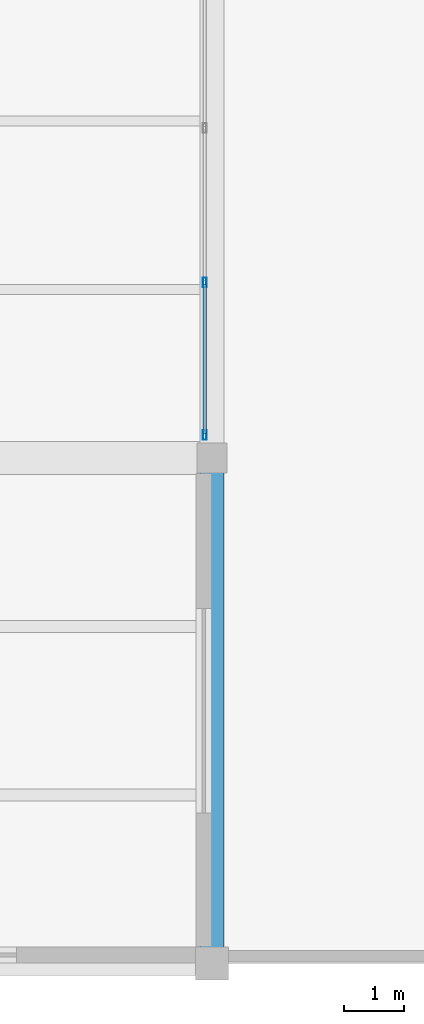
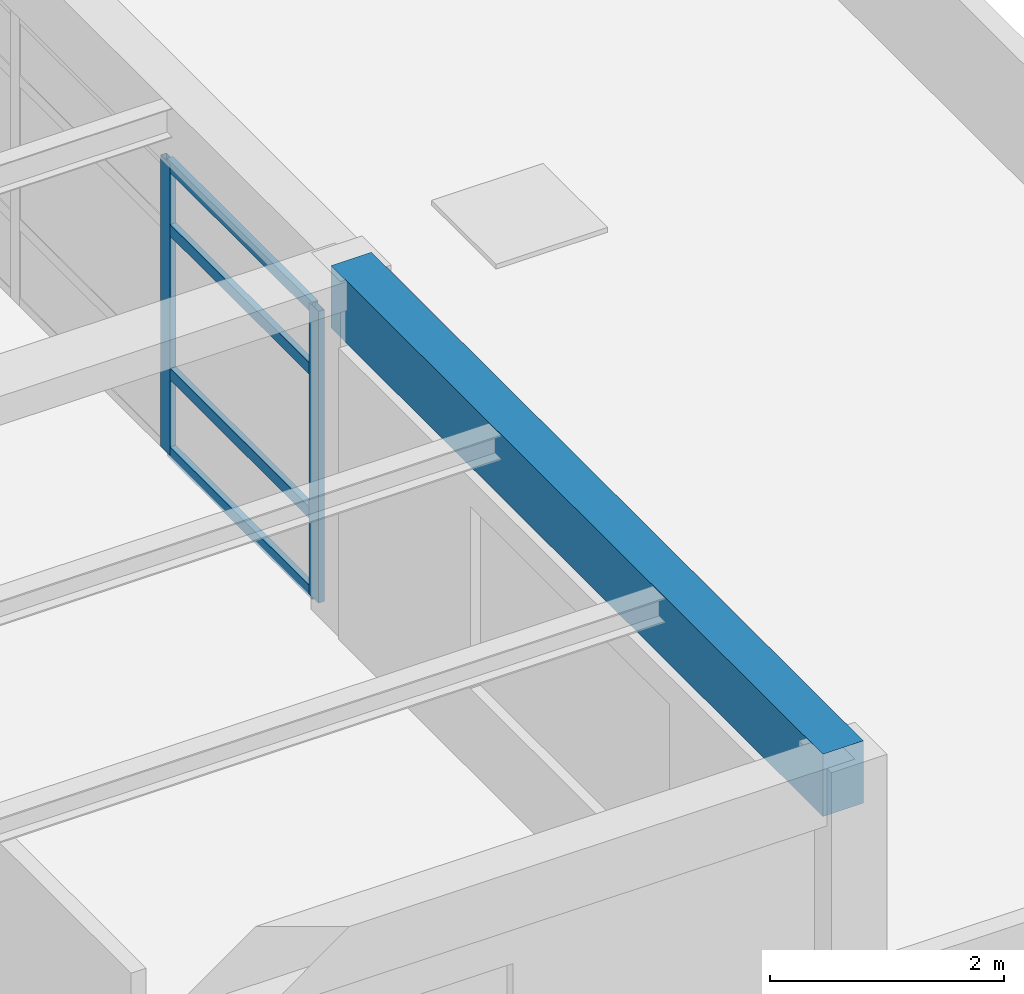
# One storey, part 15 of 22: 6 members, 1 beam, 1 element without a shape of its own.
"""IFC4 building model written with IfcOpenShell, lengths in metres."""

from ifc_helpers import new_model, si_unit, direction, frame, origin, origin_2d, place, context, subcontext, project, spatial, rectangle, hollow_rectangle, extrude, material, material_profile, profile_set, type_object, element, aggregate, save


model = new_model("IFC4")

# Units and contexts
model_context = context("Model", 3, precision=1e-05, world=origin(), true_north=direction((0.0, 1.0)))
body_context = subcontext(model_context, "Body", "Model", "MODEL_VIEW")
ifc_project = project(units=[si_unit("LENGTHUNIT", "METRE"), si_unit("AREAUNIT", "SQUARE_METRE"), si_unit("VOLUMEUNIT", "CUBIC_METRE"), si_unit("PLANEANGLEUNIT", "RADIAN"), si_unit("MASSUNIT", "GRAM", prefix="KILO")], contexts=[model_context])

# Site, building, storey
site_placement = place(None, origin())
site = spatial("IfcSite", under=ifc_project, at=site_placement, CompositionType="ELEMENT")
building_placement = place(site_placement, origin())
building = spatial("IfcBuilding", under=site, at=building_placement, Name="Almacenes y Pasaje Nevantli", CompositionType="ELEMENT")
storey_placement = place(building_placement, frame((0.0, 0.0, 58.699951171875)))
storey = spatial("IfcBuildingStorey", under=building, at=storey_placement, Name="L14", CompositionType="ELEMENT", Elevation=58.699951171875)

# Beam
ifc_material_1 = material(Name="Concrete C35/45", Category="concrete")
ifc_material_profile_1 = material_profile(ifc_material_1, rectangle(XDim=0.39990234375, YDim=0.64990234375, at=origin_2d()), Name="RC-BM-400x650")
ifc_profile_set_1 = profile_set([ifc_material_profile_1], Name="Concrete C35/45")
beam_type = type_object("IfcBeamType", Name="BM-RC-400x650", PredefinedType="SPANDREL", material=ifc_profile_set_1)
beam_placement = place(storey_placement, frame((151.199951171875, 67.199951171875, 3.39501953125), z_axis=(0.0, 1.0, 0.0), x_axis=(-1.0, 0.0, 0.0)))
element("IfcBeam", 1, at=beam_placement, inside=storey, type_object=beam_type, Name="L14 North-South Reinforced Concrete Beam #4011", PredefinedType="SPANDREL", context=body_context, shape_type="SweptSolid", body=[
    extrude(rectangle(XDim=0.39990234375, YDim=0.64990234375, at=origin_2d()), origin(), (0.0, 0.0, 1.0), 8.400146484375),
])

# Curtain wall, members
ifc_material_2 = material(Name="Thermally Broken Aluminium and Low-E Glass", Category="aluminium")
curtain_wall_type = type_object("IfcCurtainWallType", Name="CW-UNIT-TOWER", PredefinedType="USERDEFINED", material=ifc_material_2)
curtain_wall_placement = place(storey_placement, origin())
curtain_wall = element("IfcCurtainWall", 2, at=curtain_wall_placement, inside=storey, type_object=curtain_wall_type, Name="L14 Tower East Curtain Wall Bay 10", ObjectType="UNITIZED CURTAIN WALL", PredefinedType="USERDEFINED")
ifc_material_3 = material(Name="Thermally Broken Anodized Aluminium", Category="aluminium")
ifc_material_profile_2 = material_profile(ifc_material_3, hollow_rectangle(XDim=0.06005859375, YDim=0.159912109375, WallThickness=0.00390625, at=origin_2d()), Name="ALU-MUL-60x160")
ifc_profile_set_2 = profile_set([ifc_material_profile_2], Name="Thermally Broken Anodized Aluminium")
member_type_1 = type_object("IfcMemberType", Name="CW-MUL-180", PredefinedType="MULLION", material=ifc_profile_set_2)
member_1_placement = place(storey_placement, frame((151.080078125, 75.97998046875, 0.0), z_axis=(0.0, 0.0, 1.0), x_axis=(-1.0, 0.0, 0.0)))
member_1 = element("IfcMember", 3, at=member_1_placement, type_object=member_type_1, Name="CW-L14-182 mullion 1", PredefinedType="MULLION", context=body_context, shape_type="SweptSolid", body=[
    extrude(hollow_rectangle(XDim=0.06005859375, YDim=0.159912109375, WallThickness=0.00390625, at=origin_2d()), origin(), (0.0, 0.0, 1.0), 3.0400390625),
])
member_2_placement = place(storey_placement, frame((151.080078125, 78.5166015625, 0.0), z_axis=(0.0, 0.0, 1.0), x_axis=(-1.0, 0.0, 0.0)))
member_2 = element("IfcMember", 4, at=member_2_placement, type_object=member_type_1, Name="CW-L14-182 mullion 2", PredefinedType="MULLION", context=body_context, shape_type="SweptSolid", body=[
    extrude(hollow_rectangle(XDim=0.06005859375, YDim=0.159912109375, WallThickness=0.00390625, at=origin_2d()), origin(), (0.0, 0.0, 1.0), 3.0400390625),
])
ifc_material_4 = material(Name="Thermally Broken Anodized Aluminium", Category="aluminium")
ifc_material_profile_3 = material_profile(ifc_material_4, hollow_rectangle(XDim=0.06005859375, YDim=0.1201171875, WallThickness=0.00341796875, at=origin_2d()), Name="ALU-TRN-60x120")
ifc_profile_set_3 = profile_set([ifc_material_profile_3], Name="Thermally Broken Anodized Aluminium")
member_type_2 = type_object("IfcMemberType", Name="CW-TRN-130", PredefinedType="USERDEFINED", material=ifc_profile_set_3)
member_3_placement = place(storey_placement, frame((151.080078125, 76.010009765625, 0.030029296875), z_axis=(0.0, 1.0, 0.0), x_axis=(-1.0, 0.0, 0.0)))
member_3 = element("IfcMember", 5, at=member_3_placement, type_object=member_type_2, Name="CW-L14-182 transom 1.1", ObjectType="TRANSOM", PredefinedType="USERDEFINED", context=body_context, shape_type="SweptSolid", body=[
    extrude(hollow_rectangle(XDim=0.06005859375, YDim=0.1201171875, WallThickness=0.00341796875, at=origin_2d()), origin(), (0.0, 0.0, 1.0), 2.4765625),
])
member_4_placement = place(storey_placement, frame((151.080078125, 76.010009765625, 0.85009765625), z_axis=(0.0, 1.0, 0.0), x_axis=(-1.0, 0.0, 0.0)))
member_4 = element("IfcMember", 6, at=member_4_placement, type_object=member_type_2, Name="CW-L14-182 transom 1.2", ObjectType="TRANSOM", PredefinedType="USERDEFINED", context=body_context, shape_type="SweptSolid", body=[
    extrude(hollow_rectangle(XDim=0.06005859375, YDim=0.1201171875, WallThickness=0.00341796875, at=origin_2d()), origin(), (0.0, 0.0, 1.0), 2.4765625),
])
member_5_placement = place(storey_placement, frame((151.080078125, 76.010009765625, 2.35009765625), z_axis=(0.0, 1.0, 0.0), x_axis=(-1.0, 0.0, 0.0)))
member_5 = element("IfcMember", 7, at=member_5_placement, type_object=member_type_2, Name="CW-L14-182 transom 1.3", ObjectType="TRANSOM", PredefinedType="USERDEFINED", context=body_context, shape_type="SweptSolid", body=[
    extrude(hollow_rectangle(XDim=0.06005859375, YDim=0.1201171875, WallThickness=0.00341796875, at=origin_2d()), origin(), (0.0, 0.0, 1.0), 2.4765625),
])
member_6_placement = place(storey_placement, frame((151.080078125, 76.010009765625, 3.010009765625), z_axis=(0.0, 1.0, 0.0), x_axis=(-1.0, 0.0, 0.0)))
member_6 = element("IfcMember", 8, at=member_6_placement, type_object=member_type_2, Name="CW-L14-182 transom 1.4", ObjectType="TRANSOM", PredefinedType="USERDEFINED", context=body_context, shape_type="SweptSolid", body=[
    extrude(hollow_rectangle(XDim=0.06005859375, YDim=0.1201171875, WallThickness=0.00341796875, at=origin_2d()), origin(), (0.0, 0.0, 1.0), 2.4765625),
])
aggregate(curtain_wall, [member_1, member_2, member_3, member_4, member_5, member_6])

save(model, "model.ifc")
